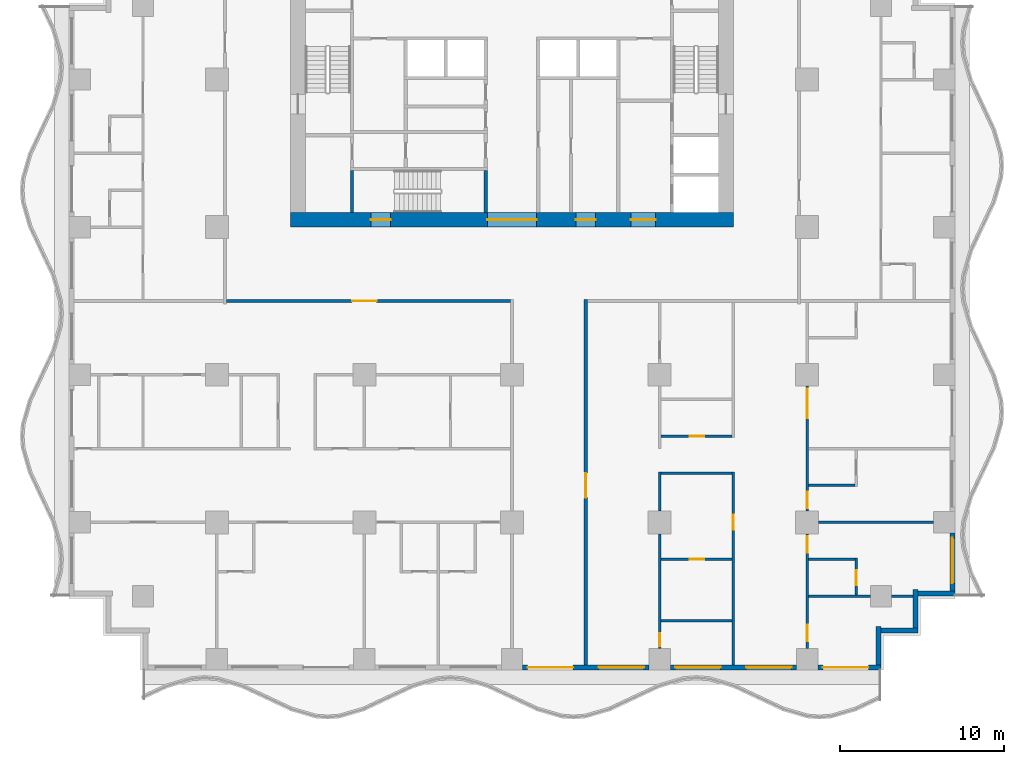
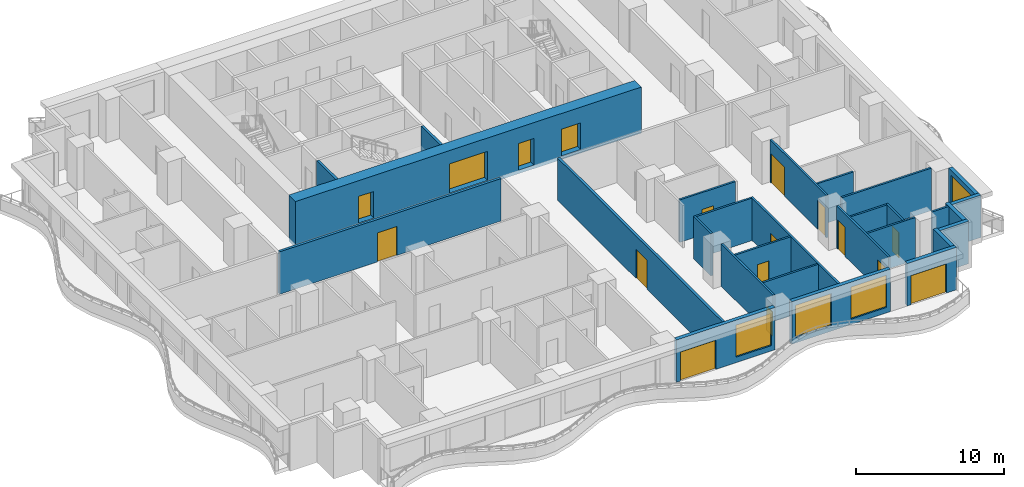
# One storey, part 3 of 13: 28 walls, 17 doors, 4 windows, 21 openings.
"""IFC4 building model written with IfcOpenShell, lengths in metres."""

import ifcopenshell
import ifcopenshell.guid

model = None  # the IFC model being written
_history = None  # IfcOwnerHistory: only IFC2X3 demands one
_inside = {}  # id of a spatial element -> (the spatial element, [elements in it])
_under = {}  # id of a project, library or spatial element -> (it, [spatial elements below it])
_declared = {}  # id of a project -> (the project, [libraries it declares])
_typed = {}  # id of a type object -> (the type object, [elements of that type])
_made_of = {}  # id of a material, layer set ... -> (it, [elements and type objects made of it])


def new_model(schema):
    """Start an empty IFC model of exactly this schema.

    Asked for "IFC4X3", IfcOpenShell would pick the latest addendum, in which some entities
    have other attributes; the version numbers below select the first issue.
    IFC2X3 requires an IfcOwnerHistory on every rooted entity: one is made here for all.
    """
    global model, _history
    if schema == "IFC4X3":
        model = ifcopenshell.file(schema_version=(4, 3, 0, 0))
    else:
        model = ifcopenshell.file(schema=schema)
    _inside.clear()
    _under.clear()
    _declared.clear()
    _typed.clear()
    _made_of.clear()
    _history = None
    if model.schema == "IFC2X3":
        org = make("IfcOrganization", Name="unknown")
        user = make(
            "IfcPersonAndOrganization",
            ThePerson=make("IfcPerson", FamilyName="unknown"),
            TheOrganization=org,
        )
        app = make(
            "IfcApplication",
            ApplicationDeveloper=org,
            Version="unknown",
            ApplicationFullName="unknown",
            ApplicationIdentifier="unknown",
        )
        _history = make(
            "IfcOwnerHistory",
            OwningUser=user,
            OwningApplication=app,
            ChangeAction="ADDED",
            CreationDate=0,
        )
    return model


def make(cls, **values):
    """One entity of the class cls with the attributes given. An attribute that is None is left unset."""
    return model.create_entity(
        cls, **{name: value for name, value in values.items() if value is not None}
    )


def rooted(cls, **values):
    """An entity with a GlobalId (a new one), such as an element, a storey or a relation."""
    return make(cls, GlobalId=ifcopenshell.guid.new(), OwnerHistory=_history, **values)


def si_unit(unit_type, name, prefix=None):
    """IfcSIUnit, for example si_unit("LENGTHUNIT", "METRE", prefix="MILLI")."""
    return make("IfcSIUnit", UnitType=unit_type, Prefix=prefix, Name=name)


def assignment(units):
    """IfcUnitAssignment: the units of a project."""
    return None if units is None else make("IfcUnitAssignment", Units=units)


def point(xyz):
    """IfcCartesianPoint."""
    return None if xyz is None else make("IfcCartesianPoint", Coordinates=xyz)


def direction(xyz):
    """IfcDirection."""
    return None if xyz is None else make("IfcDirection", DirectionRatios=xyz)


def frame(location, z_axis=None, x_axis=None):
    """IfcAxis2Placement3D, a coordinate frame: its origin and axes. An axis left out is left unset."""
    return make(
        "IfcAxis2Placement3D",
        Location=point(location),
        Axis=direction(z_axis),
        RefDirection=direction(x_axis),
    )


def frame_2d(location, x_axis=None):
    """IfcAxis2Placement2D, a coordinate frame in the plane: its origin and x axis."""
    return make(
        "IfcAxis2Placement2D", Location=point(location), RefDirection=direction(x_axis)
    )


def origin():
    """The frame at (0, 0, 0) with its axes left unset."""
    return frame((0.0, 0.0, 0.0))


def place(relative_to, where):
    """IfcLocalPlacement: puts the frame where relative to a parent placement (None: the world)."""
    return make(
        "IfcLocalPlacement", PlacementRelTo=relative_to, RelativePlacement=where
    )


def context(
    kind, dimensions, precision=None, world=None, true_north=None, identifier=None
):
    """IfcGeometricRepresentationContext, for example the 3D "Model" context."""
    return make(
        "IfcGeometricRepresentationContext",
        ContextIdentifier=identifier,
        ContextType=kind,
        CoordinateSpaceDimension=dimensions,
        Precision=precision,
        WorldCoordinateSystem=world,
        TrueNorth=true_north,
    )


def subcontext(parent, identifier, kind, view, scale=None):
    """IfcGeometricRepresentationSubContext, for example "Body" below "Model"."""
    return make(
        "IfcGeometricRepresentationSubContext",
        ContextIdentifier=identifier,
        ContextType=kind,
        ParentContext=parent,
        TargetScale=scale,
        TargetView=view,
    )


def project(units=None, contexts=None):
    """IfcProject with its units and contexts."""
    return rooted(
        "IfcProject",
        Name="project",
        RepresentationContexts=contexts,
        UnitsInContext=assignment(units),
    )


def spatial(cls, under=None, at=None, **own):
    """A site, building, storey or space (cls), placed at a placement, below another one or the project."""
    s = rooted(cls, ObjectPlacement=at, **own)
    if under is not None:
        _under.setdefault(under.id(), (under, []))[1].append(s)
    return s


def profile(cls, at=None, kind="AREA", **sizes):
    """A parametric profile (cls). Its sizes go by their IFC names, for example OverallWidth=200.0."""
    return make(cls, ProfileType=kind, Position=at, **sizes)


def rectangle(**sizes):
    """IfcRectangleProfileDef."""
    return profile("IfcRectangleProfileDef", **sizes)


def extrude(swept, where, along, depth):
    """IfcExtrudedAreaSolid: the profile swept, set in the frame where, extruded along a direction by depth."""
    return make(
        "IfcExtrudedAreaSolid",
        SweptArea=swept,
        Position=where,
        ExtrudedDirection=direction(along),
        Depth=depth,
    )


def shape(context_of_items, identifier, shape_type, items):
    """IfcShapeRepresentation: the items that make up one representation, for example the "Body"."""
    return make(
        "IfcShapeRepresentation",
        ContextOfItems=context_of_items,
        RepresentationIdentifier=identifier,
        RepresentationType=shape_type,
        Items=items,
    )


def material(Name=None, Category=None):
    """IfcMaterial."""
    return make("IfcMaterial", Name=Name, Category=Category)


def layer(
    of_material, thickness, ventilated=None, Name=None, Category=None, Priority=None
):
    """IfcMaterialLayer: one layer of a wall or slab, of a material (None: an air gap)."""
    return make(
        "IfcMaterialLayer",
        Material=of_material,
        LayerThickness=thickness,
        IsVentilated=ventilated,
        Name=Name,
        Category=Category,
        Priority=Priority,
    )


def layer_set(layers, Name=None):
    """IfcMaterialLayerSet."""
    return make("IfcMaterialLayerSet", MaterialLayers=layers, LayerSetName=Name)


def made_of(thing, what):
    """Note that an element or type object is made of a material, layer set ...; save() writes the relation."""
    if what is not None:
        _made_of.setdefault(what.id(), (what, []))[1].append(thing)
    return thing


def type_object(cls, material=None, **own):
    """A type object (cls), such as IfcWallType, which elements share."""
    return made_of(rooted(cls, **own), material)


def element(
    cls,
    number,
    at=None,
    inside=None,
    cuts=None,
    type_object=None,
    material=None,
    context=None,
    identifier="Body",
    shape_type=None,
    held_by="IfcProductDefinitionShape",
    body=None,
    shapes=None,
    **own,
):
    """One element of the class cls, such as IfcWall. Its Tag is "e" and its number.

    at: its placement. inside: the storey or other place that contains it. cuts: it is an
    opening in that element (IfcRelVoidsElement). A single representation is given by context,
    identifier, shape_type and body (its items); several are given by shapes. held_by: the class
    of the entity that holds the representations. save() writes the other relations.
    """
    e = rooted(cls, Tag="e%d" % number, ObjectPlacement=at, **own)
    if body is not None:
        shapes = [shape(context, identifier, shape_type, body)]
    if shapes is not None:
        e.Representation = make(held_by, Representations=shapes)
    if inside is not None:
        _inside.setdefault(inside.id(), (inside, []))[1].append(e)
    if cuts is not None:
        rooted(
            "IfcRelVoidsElement", RelatingBuildingElement=cuts, RelatedOpeningElement=e
        )
    if type_object is not None:
        _typed.setdefault(type_object.id(), (type_object, []))[1].append(e)
    return made_of(e, material)


def fill(opening, filler):
    """IfcRelFillsElement: the door or window that sits in an opening."""
    return rooted(
        "IfcRelFillsElement",
        RelatingOpeningElement=opening,
        RelatedBuildingElement=filler,
    )


def aggregate(whole, parts):
    """IfcRelAggregates: a whole, such as a stair, and the parts it consists of."""
    return rooted("IfcRelAggregates", RelatingObject=whole, RelatedObjects=parts)


def save(model, path):
    """Write the relations noted so far, then the file.

    IfcRelAggregates (storeys below a building ...), IfcRelContainedInSpatialStructure (elements
    in a storey), IfcRelDefinesByType, IfcRelAssociatesMaterial and IfcRelDeclares: one each for
    every whole, place, type object, material and project.
    """
    for whole, parts in _under.values():
        aggregate(whole, parts)
    for where, things in _inside.values():
        rooted(
            "IfcRelContainedInSpatialStructure",
            RelatedElements=things,
            RelatingStructure=where,
        )
    for kind, things in _typed.values():
        rooted("IfcRelDefinesByType", RelatedObjects=things, RelatingType=kind)
    for what, things in _made_of.values():
        rooted("IfcRelAssociatesMaterial", RelatedObjects=things, RelatingMaterial=what)
    for by, libraries in _declared.values():
        rooted("IfcRelDeclares", RelatingContext=by, RelatedDefinitions=libraries)
    model.write(path)


model = new_model("IFC4")

# Units and contexts
model_context = context("Model", 3, precision=1e-05, world=origin(), true_north=direction((0.0, 1.0)))
body_context = subcontext(model_context, "Body", "Model", "MODEL_VIEW")
ifc_project = project(units=[si_unit("LENGTHUNIT", "METRE"), si_unit("AREAUNIT", "SQUARE_METRE"), si_unit("VOLUMEUNIT", "CUBIC_METRE"), si_unit("PLANEANGLEUNIT", "RADIAN"), si_unit("MASSUNIT", "GRAM", prefix="KILO")], contexts=[model_context])

# Site, building, storey
site_placement = place(None, origin())
site = spatial("IfcSite", under=ifc_project, at=site_placement, CompositionType="ELEMENT")
building_placement = place(site_placement, origin())
building = spatial("IfcBuilding", under=site, at=building_placement, Name="Orbiselva Terraces", CompositionType="ELEMENT")
storey_placement = place(building_placement, frame((0.0, 0.0, 92.2)))
storey = spatial("IfcBuildingStorey", under=building, at=storey_placement, Name="L23", CompositionType="ELEMENT", Elevation=92.2)

# Wall, openings, doors
ifc_material_1 = material(Name="Concrete C80/95", Category="concrete")
ifc_layer_1 = layer(ifc_material_1, 0.9)
ifc_layer_set_1 = layer_set([ifc_layer_1], Name="Concrete C80/95")
wall_type_1 = type_object("IfcWallType", Name="CORE WALL 900", PredefinedType="SHEAR", material=ifc_layer_set_1)
wall_1_placement = place(storey_placement, frame((-13.5, 4.95, -0.3), z_axis=(0.0, 0.0, 1.0), x_axis=(1.0, 0.0, 0.0)))
wall_1 = element("IfcWall", 1, at=wall_1_placement, inside=storey, type_object=wall_type_1, Name="Core wall L23 south", PredefinedType="SHEAR", context=body_context, shape_type="SweptSolid", body=[
    extrude(rectangle(XDim=27.0, YDim=0.9, at=frame_2d((13.5, 0.0))), origin(), (0.0, 0.0, 1.0), 3.8),
])
opening_1_placement = place(wall_1_placement, frame((12.0, 0.0, 0.3)))
opening_1 = element("IfcOpeningElement", 2, at=opening_1_placement, cuts=wall_1, Name="Opening DL3000", PredefinedType="OPENING", context=body_context, shape_type="SweptSolid", body=[
    extrude(rectangle(XDim=3.0, YDim=2.4, at=frame_2d((1.5, 1.2))), frame((0.0, 0.46, 0.0), z_axis=(0.0, -1.0, 0.0), x_axis=(1.0, 0.0, 0.0)), (0.0, 0.0, 1.0), 0.92),
])
opening_2_placement = place(wall_1_placement, frame((4.9, 0.0, 0.3)))
opening_2 = element("IfcOpeningElement", 3, at=opening_2_placement, cuts=wall_1, Name="Opening DS1200", PredefinedType="OPENING", context=body_context, shape_type="SweptSolid", body=[
    extrude(rectangle(XDim=1.2, YDim=2.2, at=frame_2d((0.6, 1.1))), frame((0.0, 0.46, 0.0), z_axis=(0.0, -1.0, 0.0), x_axis=(1.0, 0.0, 0.0)), (0.0, 0.0, 1.0), 0.92),
])
opening_3_placement = place(wall_1_placement, frame((20.75, 0.0, 0.3)))
opening_3 = element("IfcOpeningElement", 4, at=opening_3_placement, cuts=wall_1, Name="Opening DF1500", PredefinedType="OPENING", context=body_context, shape_type="SweptSolid", body=[
    extrude(rectangle(XDim=1.5, YDim=2.2, at=frame_2d((0.75, 1.1))), frame((0.0, 0.46, 0.0), z_axis=(0.0, -1.0, 0.0), x_axis=(1.0, 0.0, 0.0)), (0.0, 0.0, 1.0), 0.92),
])
opening_4_placement = place(wall_1_placement, frame((17.4, 0.0, 0.3)))
opening_4 = element("IfcOpeningElement", 5, at=opening_4_placement, cuts=wall_1, Name="Opening DV1200", PredefinedType="OPENING", context=body_context, shape_type="SweptSolid", body=[
    extrude(rectangle(XDim=1.2, YDim=2.2, at=frame_2d((0.6, 1.1))), frame((0.0, 0.46, 0.0), z_axis=(0.0, -1.0, 0.0), x_axis=(1.0, 0.0, 0.0)), (0.0, 0.0, 1.0), 0.92),
])
ifc_material_2 = material(Name="Steel fire door", Category="steel")
door_type_1 = type_object("IfcDoorType", Name="FFL DOOR 1500", OperationType="DOUBLE_DOOR_SINGLE_SWING", PredefinedType="DOOR", material=ifc_material_2)
door_1_placement = place(opening_3_placement, frame((1.5, 0.0, 0.0), z_axis=(0.0, 0.0, 1.0), x_axis=(-1.0, 0.0, 0.0)))
door_1 = element("IfcDoor", 6, at=door_1_placement, inside=storey, type_object=door_type_1, Name="L23 FIRE-FIGHTING LOBBY door", OperationType="DOUBLE_DOOR_SINGLE_SWING", OverallHeight=2.2, OverallWidth=1.5, PredefinedType="DOOR", context=body_context, shape_type="SweptSolid", body=[
    extrude(rectangle(XDim=1.5, YDim=2.2, at=frame_2d((0.75, 1.1))), frame((0.0, 0.025, 0.0), z_axis=(0.0, -1.0, 0.0), x_axis=(1.0, 0.0, 0.0)), (0.0, 0.0, 1.0), 0.05),
])
fill(opening_3, door_1)
door_type_2 = type_object("IfcDoorType", Name="LOBBY DOOR 3000", OperationType="DOUBLE_DOOR_SINGLE_SWING", PredefinedType="DOOR", material=ifc_material_2)
door_2_placement = place(opening_1_placement, frame((3.0, 0.0, 0.0), z_axis=(0.0, 0.0, 1.0), x_axis=(-1.0, 0.0, 0.0)))
door_2 = element("IfcDoor", 7, at=door_2_placement, inside=storey, type_object=door_type_2, Name="L23 LIFT LOBBY door", OperationType="DOUBLE_DOOR_SINGLE_SWING", OverallHeight=2.4, OverallWidth=3.0, PredefinedType="DOOR", context=body_context, shape_type="SweptSolid", body=[
    extrude(rectangle(XDim=3.0, YDim=2.4, at=frame_2d((1.5, 1.2))), frame((0.0, 0.025, 0.0), z_axis=(0.0, -1.0, 0.0), x_axis=(1.0, 0.0, 0.0)), (0.0, 0.0, 1.0), 0.05),
])
fill(opening_1, door_2)
door_type_3 = type_object("IfcDoorType", Name="SERVICE DOOR 1200", OperationType="NOTDEFINED", PredefinedType="DOOR", material=ifc_material_2)
door_3_placement = place(opening_4_placement, frame((1.2, 0.0, 0.0), z_axis=(0.0, 0.0, 1.0), x_axis=(-1.0, 0.0, 0.0)))
door_3 = element("IfcDoor", 8, at=door_3_placement, inside=storey, type_object=door_type_3, Name="L23 SERVICE ROOM door", OperationType="SINGLE_SWING_RIGHT", OverallHeight=2.2, OverallWidth=1.2, PredefinedType="DOOR", context=body_context, shape_type="SweptSolid", body=[
    extrude(rectangle(XDim=1.2, YDim=2.2, at=frame_2d((0.6, 1.1))), frame((0.0, 0.025, 0.0), z_axis=(0.0, -1.0, 0.0), x_axis=(1.0, 0.0, 0.0)), (0.0, 0.0, 1.0), 0.05),
])
fill(opening_4, door_3)
door_type_4 = type_object("IfcDoorType", Name="STAIR DOOR 1200", OperationType="NOTDEFINED", PredefinedType="DOOR", material=ifc_material_2)
door_4_placement = place(opening_2_placement, frame((1.2, 0.0, 0.0), z_axis=(0.0, 0.0, 1.0), x_axis=(-1.0, 0.0, 0.0)))
door_4 = element("IfcDoor", 9, at=door_4_placement, inside=storey, type_object=door_type_4, Name="L23 EXIT STAIR S3 door", OperationType="SINGLE_SWING_LEFT", OverallHeight=2.2, OverallWidth=1.2, PredefinedType="DOOR", context=body_context, shape_type="SweptSolid", body=[
    extrude(rectangle(XDim=1.2, YDim=2.2, at=frame_2d((0.6, 1.1))), frame((0.0, 0.025, 0.0), z_axis=(0.0, -1.0, 0.0), x_axis=(1.0, 0.0, 0.0)), (0.0, 0.0, 1.0), 0.05),
])
fill(opening_2, door_4)

# Walls
ifc_material_3 = material(Name="Concrete C60/75", Category="concrete")
ifc_layer_2 = layer(ifc_material_3, 0.2)
ifc_layer_set_2 = layer_set([ifc_layer_2], Name="Concrete C60/75")
wall_type_2 = type_object("IfcWallType", Name="CORE-WALL-SHEAR-200", PredefinedType="SHEAR", material=ifc_layer_set_2)
for number, where, z_axis, x_axis, name in (
    (10, (-9.75, 5.4, 0.0), (0.0, 0.0, 1.0), (0.0, 1.0, 0.0), "L23 core wall 03"),
    (11, (-1.6, 5.4, 0.0), (0.0, 0.0, 1.0), (0.0, 1.0, 0.0), "L23 core wall 23"),
):
    element("IfcWall", number, at=place(storey_placement, frame(where, z_axis=z_axis, x_axis=x_axis)), inside=storey, type_object=wall_type_2, Name=name, PredefinedType="SHEAR", context=body_context, shape_type="SweptSolid", body=[
        extrude(rectangle(XDim=2.55, YDim=0.2, at=frame_2d((1.275, 0.0))), origin(), (0.0, 0.0, 1.0), 3.5),
    ])

# Wall, openings, door, window
ifc_material_4 = material(Name="Terracotta cladding on masonry backing", Category="masonry")
ifc_layer_3 = layer(ifc_material_4, 0.3)
ifc_layer_set_3 = layer_set([ifc_layer_3], Name="Terracotta cladding on masonry backing")
wall_type_3 = type_object("IfcWallType", Name="ENV-WALL-TERRACOTTA-300", PredefinedType="SOLIDWALL", material=ifc_layer_set_3)
wall_2_placement = place(storey_placement, frame((8.35, -22.35, 0.0), z_axis=(0.0, 0.0, 1.0), x_axis=(-1.0, 0.0, 0.0)))
wall_2 = element("IfcWall", 12, at=wall_2_placement, inside=storey, type_object=wall_type_3, Name="Facade wall L23 S", PredefinedType="SOLIDWALL", context=body_context, shape_type="SweptSolid", body=[
    extrude(rectangle(XDim=7.7, YDim=0.3, at=frame_2d((3.85, 0.0))), origin(), (0.0, 0.0, 1.0), 3.5),
])
opening_5_placement = place(wall_2_placement, frame((4.625, 0.0, 0.0)))
opening_5 = element("IfcOpeningElement", 13, at=opening_5_placement, cuts=wall_2, Name="Opening Z2-C-E02", PredefinedType="OPENING", context=body_context, shape_type="SweptSolid", body=[
    extrude(rectangle(XDim=2.775, YDim=2.4, at=frame_2d((1.3875, 1.2))), frame((0.0, 0.16, 0.0), z_axis=(0.0, -1.0, 0.0), x_axis=(1.0, 0.0, 0.0)), (0.0, 0.0, 1.0), 0.32),
])
opening_6_placement = place(wall_2_placement, frame((0.3, 0.0, 0.45)))
opening_6 = element("IfcOpeningElement", 14, at=opening_6_placement, cuts=wall_2, Name="Opening WN6", PredefinedType="OPENING", context=body_context, shape_type="SweptSolid", body=[
    extrude(rectangle(XDim=2.775, YDim=2.65, at=frame_2d((1.3875, 1.325))), frame((0.0, 0.16, 0.0), z_axis=(0.0, -1.0, 0.0), x_axis=(1.0, 0.0, 0.0)), (0.0, 0.0, 1.0), 0.32),
])
ifc_material_5 = material(Name="Clear low-e glazing in aluminium frame", Category="aluminium")
door_type_5 = type_object("IfcDoorType", Name="BALCONY DOOR 2775 X 2400", OperationType="DOUBLE_DOOR_SLIDING", PredefinedType="DOOR", material=ifc_material_5)
door_5_placement = place(opening_5_placement, origin())
door_5 = element("IfcDoor", 15, at=door_5_placement, inside=storey, type_object=door_type_5, Name="Z2-C-E02", OperationType="SINGLE_SWING_LEFT", OverallHeight=2.4, OverallWidth=2.775, PredefinedType="DOOR", context=body_context, shape_type="SweptSolid", body=[
    extrude(rectangle(XDim=2.775, YDim=2.4, at=frame_2d((1.3875, 1.2))), frame((0.0, 0.025, 0.0), z_axis=(0.0, -1.0, 0.0), x_axis=(1.0, 0.0, 0.0)), (0.0, 0.0, 1.0), 0.05),
])
fill(opening_5, door_5)
window_type = type_object("IfcWindowType", Name="WINDOW 2775 X 2650 S450", PartitioningType="TRIPLE_PANEL_VERTICAL", PredefinedType="WINDOW", material=ifc_material_5)
window_1_placement = place(opening_6_placement, origin())
window_1 = element("IfcWindow", 16, at=window_1_placement, inside=storey, type_object=window_type, Name="Window L23 S", OverallHeight=2.65, OverallWidth=2.775, PartitioningType="SINGLE_PANEL", PredefinedType="WINDOW", context=body_context, shape_type="SweptSolid", body=[
    extrude(rectangle(XDim=2.775, YDim=2.65, at=frame_2d((1.3875, 1.325))), frame((0.0, 0.03, 0.0), z_axis=(0.0, -1.0, 0.0), x_axis=(1.0, 0.0, 0.0)), (0.0, 0.0, 1.0), 0.06),
])
fill(opening_6, window_1)

# Wall, openings, windows
wall_3_placement = place(storey_placement, frame((17.35, -22.35, 0.0), z_axis=(0.0, 0.0, 1.0), x_axis=(-1.0, 0.0, 0.0)))
wall_3 = element("IfcWall", 17, at=wall_3_placement, inside=storey, type_object=wall_type_3, Name="Facade wall L23 S", PredefinedType="SOLIDWALL", context=body_context, shape_type="SweptSolid", body=[
    extrude(rectangle(XDim=7.7, YDim=0.3, at=frame_2d((3.85, 0.0))), origin(), (0.0, 0.0, 1.0), 3.5),
])
opening_7_placement = place(wall_3_placement, frame((4.625, 0.0, 0.45)))
opening_7 = element("IfcOpeningElement", 18, at=opening_7_placement, cuts=wall_3, Name="Opening WN6", PredefinedType="OPENING", context=body_context, shape_type="SweptSolid", body=[
    extrude(rectangle(XDim=2.775, YDim=2.65, at=frame_2d((1.3875, 1.325))), frame((0.0, 0.16, 0.0), z_axis=(0.0, -1.0, 0.0), x_axis=(1.0, 0.0, 0.0)), (0.0, 0.0, 1.0), 0.32),
])
opening_8_placement = place(wall_3_placement, frame((0.3, 0.0, 0.45)))
opening_8 = element("IfcOpeningElement", 19, at=opening_8_placement, cuts=wall_3, Name="Opening WN6", PredefinedType="OPENING", context=body_context, shape_type="SweptSolid", body=[
    extrude(rectangle(XDim=2.775, YDim=2.65, at=frame_2d((1.3875, 1.325))), frame((0.0, 0.16, 0.0), z_axis=(0.0, -1.0, 0.0), x_axis=(1.0, 0.0, 0.0)), (0.0, 0.0, 1.0), 0.32),
])
window_2_placement = place(opening_7_placement, origin())
window_2 = element("IfcWindow", 20, at=window_2_placement, inside=storey, type_object=window_type, Name="Window L23 S", OverallHeight=2.65, OverallWidth=2.775, PartitioningType="SINGLE_PANEL", PredefinedType="WINDOW", context=body_context, shape_type="SweptSolid", body=[
    extrude(rectangle(XDim=2.775, YDim=2.65, at=frame_2d((1.3875, 1.325))), frame((0.0, 0.03, 0.0), z_axis=(0.0, -1.0, 0.0), x_axis=(1.0, 0.0, 0.0)), (0.0, 0.0, 1.0), 0.06),
])
fill(opening_7, window_2)
window_3_placement = place(opening_8_placement, origin())
window_3 = element("IfcWindow", 21, at=window_3_placement, inside=storey, type_object=window_type, Name="Window L23 S", OverallHeight=2.65, OverallWidth=2.775, PartitioningType="SINGLE_PANEL", PredefinedType="WINDOW", context=body_context, shape_type="SweptSolid", body=[
    extrude(rectangle(XDim=2.775, YDim=2.65, at=frame_2d((1.3875, 1.325))), frame((0.0, 0.03, 0.0), z_axis=(0.0, -1.0, 0.0), x_axis=(1.0, 0.0, 0.0)), (0.0, 0.0, 1.0), 0.06),
])
fill(opening_8, window_3)

# Wall, opening, door
wall_4_placement = place(storey_placement, frame((22.5, -22.35, 0.0), z_axis=(0.0, 0.0, 1.0), x_axis=(-1.0, 0.0, 0.0)))
wall_4 = element("IfcWall", 22, at=wall_4_placement, inside=storey, type_object=wall_type_3, Name="Facade wall L23 S", PredefinedType="SOLIDWALL", context=body_context, shape_type="SweptSolid", body=[
    extrude(rectangle(XDim=3.85, YDim=0.3, at=frame_2d((1.925, 0.0))), origin(), (0.0, 0.0, 1.0), 3.5),
])
opening_9_placement = place(wall_4_placement, frame((0.775, 0.0, 0.0)))
opening_9 = element("IfcOpeningElement", 23, at=opening_9_placement, cuts=wall_4, Name="Opening Z2-C-E03", PredefinedType="OPENING", context=body_context, shape_type="SweptSolid", body=[
    extrude(rectangle(XDim=2.775, YDim=2.4, at=frame_2d((1.3875, 1.2))), frame((0.0, 0.16, 0.0), z_axis=(0.0, -1.0, 0.0), x_axis=(1.0, 0.0, 0.0)), (0.0, 0.0, 1.0), 0.32),
])
door_6_placement = place(opening_9_placement, origin())
door_6 = element("IfcDoor", 24, at=door_6_placement, inside=storey, type_object=door_type_5, Name="Z2-C-E03", OperationType="SINGLE_SWING_LEFT", OverallHeight=2.4, OverallWidth=2.775, PredefinedType="DOOR", context=body_context, shape_type="SweptSolid", body=[
    extrude(rectangle(XDim=2.775, YDim=2.4, at=frame_2d((1.3875, 1.2))), frame((0.0, 0.025, 0.0), z_axis=(0.0, -1.0, 0.0), x_axis=(1.0, 0.0, 0.0)), (0.0, 0.0, 1.0), 0.05),
])
fill(opening_9, door_6)

# Walls
wall_5_placement = place(storey_placement, frame((22.35, -19.85, 0.0), z_axis=(0.0, 0.0, 1.0), x_axis=(0.0, -1.0, 0.0)))
element("IfcWall", 25, at=wall_5_placement, inside=storey, type_object=wall_type_3, Name="Facade wall L23 STEP", PredefinedType="SOLIDWALL", context=body_context, shape_type="SweptSolid", body=[
    extrude(rectangle(XDim=2.35, YDim=0.3, at=frame_2d((1.175, 0.0))), origin(), (0.0, 0.0, 1.0), 3.5),
])
wall_6_placement = place(storey_placement, frame((24.75, -20.1, 0.0), z_axis=(0.0, 0.0, 1.0), x_axis=(-1.0, 0.0, 0.0)))
element("IfcWall", 26, at=wall_6_placement, inside=storey, type_object=wall_type_3, Name="Facade wall L23 STEP", PredefinedType="SOLIDWALL", context=body_context, shape_type="SweptSolid", body=[
    extrude(rectangle(XDim=2.25, YDim=0.3, at=frame_2d((1.125, 0.0))), origin(), (0.0, 0.0, 1.0), 3.5),
])
wall_7_placement = place(storey_placement, frame((24.6, -17.6, 0.0), z_axis=(0.0, 0.0, 1.0), x_axis=(0.0, -1.0, 0.0)))
element("IfcWall", 27, at=wall_7_placement, inside=storey, type_object=wall_type_3, Name="Facade wall L23 STEP", PredefinedType="SOLIDWALL", context=body_context, shape_type="SweptSolid", body=[
    extrude(rectangle(XDim=2.35, YDim=0.3, at=frame_2d((1.175, 0.0))), origin(), (0.0, 0.0, 1.0), 3.5),
])
wall_8_placement = place(storey_placement, frame((27.0, -17.85, 0.0), z_axis=(0.0, 0.0, 1.0), x_axis=(-1.0, 0.0, 0.0)))
element("IfcWall", 28, at=wall_8_placement, inside=storey, type_object=wall_type_3, Name="Facade wall L23 STEP", PredefinedType="SOLIDWALL", context=body_context, shape_type="SweptSolid", body=[
    extrude(rectangle(XDim=2.25, YDim=0.3, at=frame_2d((1.125, 0.0))), origin(), (0.0, 0.0, 1.0), 3.5),
])

# Wall, opening, window
wall_9_placement = place(storey_placement, frame((26.85, -14.15, 0.0), z_axis=(0.0, 0.0, 1.0), x_axis=(0.0, -1.0, 0.0)))
wall_9 = element("IfcWall", 29, at=wall_9_placement, inside=storey, type_object=wall_type_3, Name="Facade wall L23 E", PredefinedType="SOLIDWALL", context=body_context, shape_type="SweptSolid", body=[
    extrude(rectangle(XDim=3.55, YDim=0.3, at=frame_2d((1.775, 0.0))), origin(), (0.0, 0.0, 1.0), 3.5),
])
opening_10_placement = place(wall_9_placement, frame((0.3, 0.0, 0.45)))
opening_10 = element("IfcOpeningElement", 30, at=opening_10_placement, cuts=wall_9, Name="Opening WN6", PredefinedType="OPENING", context=body_context, shape_type="SweptSolid", body=[
    extrude(rectangle(XDim=2.775, YDim=2.65, at=frame_2d((1.3875, 1.325))), frame((0.0, 0.16, 0.0), z_axis=(0.0, -1.0, 0.0), x_axis=(1.0, 0.0, 0.0)), (0.0, 0.0, 1.0), 0.32),
])
window_4_placement = place(opening_10_placement, origin())
window_4 = element("IfcWindow", 31, at=window_4_placement, inside=storey, type_object=window_type, Name="Window L23 E", OverallHeight=2.65, OverallWidth=2.775, PartitioningType="SINGLE_PANEL", PredefinedType="WINDOW", context=body_context, shape_type="SweptSolid", body=[
    extrude(rectangle(XDim=2.775, YDim=2.65, at=frame_2d((1.3875, 1.325))), frame((0.0, 0.03, 0.0), z_axis=(0.0, -1.0, 0.0), x_axis=(1.0, 0.0, 0.0)), (0.0, 0.0, 1.0), 0.06),
])
fill(opening_10, window_4)

# Wall, opening, door
ifc_material_6 = material(Name="Plasterboard on steel stud partition", Category="steel")
ifc_layer_4 = layer(ifc_material_6, 0.2)
ifc_layer_set_4 = layer_set([ifc_layer_4], Name="Plasterboard on steel stud partition")
wall_type_4 = type_object("IfcWallType", Name="UNIT-ENTRANCE-WALL-200", PredefinedType="PARTITIONING", material=ifc_layer_set_4)
wall_10_placement = place(storey_placement, frame((-0.1, 0.0, 0.0), z_axis=(0.0, 0.0, 1.0), x_axis=(-1.0, 0.0, 0.0)))
wall_10 = element("IfcWall", 32, at=wall_10_placement, inside=storey, type_object=wall_type_4, Name="PARTITION L23-025", PredefinedType="PARTITIONING", context=body_context, shape_type="SweptSolid", body=[
    extrude(rectangle(XDim=17.3, YDim=0.2, at=frame_2d((8.65, 0.0))), origin(), (0.0, 0.0, 1.0), 3.5),
])
opening_11_placement = place(wall_10_placement, frame((8.15, 0.0, 0.0)))
opening_11 = element("IfcOpeningElement", 33, at=opening_11_placement, cuts=wall_10, Name="Opening Z2-C-13", PredefinedType="OPENING", context=body_context, shape_type="SweptSolid", body=[
    extrude(rectangle(XDim=1.5, YDim=2.4, at=frame_2d((0.75, 1.2))), frame((0.0, 0.11, 0.0), z_axis=(0.0, -1.0, 0.0), x_axis=(1.0, 0.0, 0.0)), (0.0, 0.0, 1.0), 0.22),
])
ifc_material_7 = material(Name="Painted timber door leaf", Category="wood")
door_type_6 = type_object("IfcDoorType", Name="ENTRANCE DOUBLE DOOR 1500", OperationType="NOTDEFINED", PredefinedType="DOOR", material=ifc_material_7)
door_7_placement = place(opening_11_placement, origin())
door_7 = element("IfcDoor", 34, at=door_7_placement, inside=storey, type_object=door_type_6, Name="Z2-C-13", OperationType="DOUBLE_DOOR_SINGLE_SWING", OverallHeight=2.4, OverallWidth=1.5, PredefinedType="DOOR", context=body_context, shape_type="SweptSolid", body=[
    extrude(rectangle(XDim=1.5, YDim=2.4, at=frame_2d((0.75, 1.2))), frame((0.0, 0.025, 0.0), z_axis=(0.0, -1.0, 0.0), x_axis=(1.0, 0.0, 0.0)), (0.0, 0.0, 1.0), 0.05),
])
fill(opening_11, door_7)

wall_11_placement = place(storey_placement, frame((4.5, 0.1, 0.0), z_axis=(0.0, 0.0, 1.0), x_axis=(0.0, -1.0, 0.0)))
wall_11 = element("IfcWall", 35, at=wall_11_placement, inside=storey, type_object=wall_type_4, Name="PARTITION L23-060", PredefinedType="PARTITIONING", context=body_context, shape_type="SweptSolid", body=[
    extrude(rectangle(XDim=22.3, YDim=0.2, at=frame_2d((11.15, 0.0))), origin(), (0.0, 0.0, 1.0), 3.5),
])
opening_12_placement = place(wall_11_placement, frame((10.6, 0.0, 0.0)))
opening_12 = element("IfcOpeningElement", 36, at=opening_12_placement, cuts=wall_11, Name="Opening Z2-C-28", PredefinedType="OPENING", context=body_context, shape_type="SweptSolid", body=[
    extrude(rectangle(XDim=1.5, YDim=2.4, at=frame_2d((0.75, 1.2))), frame((0.0, 0.11, 0.0), z_axis=(0.0, -1.0, 0.0), x_axis=(1.0, 0.0, 0.0)), (0.0, 0.0, 1.0), 0.22),
])
door_8_placement = place(opening_12_placement, origin())
door_8 = element("IfcDoor", 37, at=door_8_placement, inside=storey, type_object=door_type_6, Name="Z2-C-28", OperationType="DOUBLE_DOOR_SINGLE_SWING", OverallHeight=2.4, OverallWidth=1.5, PredefinedType="DOOR", context=body_context, shape_type="SweptSolid", body=[
    extrude(rectangle(XDim=1.5, YDim=2.4, at=frame_2d((0.75, 1.2))), frame((0.0, 0.025, 0.0), z_axis=(0.0, -1.0, 0.0), x_axis=(1.0, 0.0, 0.0)), (0.0, 0.0, 1.0), 0.05),
])
fill(opening_12, door_8)

# Walls
ifc_layer_5 = layer(ifc_material_6, 0.15)
ifc_layer_set_5 = layer_set([ifc_layer_5], Name="Plasterboard on steel stud partition")
wall_type_5 = type_object("IfcWallType", Name="UNIT-PARTITION-150", PredefinedType="PARTITIONING", material=ifc_layer_set_5)
wall_12_placement = place(storey_placement, frame((9.075, -19.5, 0.0), z_axis=(0.0, 0.0, 1.0), x_axis=(1.0, 0.0, 0.0)))
element("IfcWall", 38, at=wall_12_placement, inside=storey, type_object=wall_type_5, Name="PARTITION L23-001", PredefinedType="PARTITIONING", context=body_context, shape_type="SweptSolid", body=[
    extrude(rectangle(XDim=4.35, YDim=0.15, at=frame_2d((2.175, 0.0))), origin(), (0.0, 0.0, 1.0), 3.5),
])
wall_13_placement = place(storey_placement, frame((18.075, -18.0, 0.0), z_axis=(0.0, 0.0, 1.0), x_axis=(1.0, 0.0, 0.0)))
element("IfcWall", 39, at=wall_13_placement, inside=storey, type_object=wall_type_5, Name="PARTITION L23-002", PredefinedType="PARTITIONING", context=body_context, shape_type="SweptSolid", body=[
    extrude(rectangle(XDim=3.775, YDim=0.15, at=frame_2d((1.8875, 0.0))), origin(), (0.0, 0.0, 1.0), 3.5),
])
wall_14_placement = place(storey_placement, frame((23.15, -18.0, 0.0), z_axis=(0.0, 0.0, 1.0), x_axis=(1.0, 0.0, 0.0)))
element("IfcWall", 40, at=wall_14_placement, inside=storey, type_object=wall_type_5, Name="PARTITION L23-003", PredefinedType="PARTITIONING", context=body_context, shape_type="SweptSolid", body=[
    extrude(rectangle(XDim=1.3, YDim=0.15, at=frame_2d((0.65, 0.0))), origin(), (0.0, 0.0, 1.0), 3.5),
])

# Wall, opening, door
wall_15_placement = place(storey_placement, frame((13.425, -15.75, 0.0), z_axis=(0.0, 0.0, 1.0), x_axis=(-1.0, 0.0, 0.0)))
wall_15 = element("IfcWall", 41, at=wall_15_placement, inside=storey, type_object=wall_type_5, Name="PARTITION L23-007", PredefinedType="PARTITIONING", context=body_context, shape_type="SweptSolid", body=[
    extrude(rectangle(XDim=4.35, YDim=0.15, at=frame_2d((2.175, 0.0))), origin(), (0.0, 0.0, 1.0), 3.5),
])
opening_13_placement = place(wall_15_placement, frame((1.7, 0.0, 0.0)))
opening_13 = element("IfcOpeningElement", 42, at=opening_13_placement, cuts=wall_15, Name="Opening Z2-C-32", PredefinedType="OPENING", context=body_context, shape_type="SweptSolid", body=[
    extrude(rectangle(XDim=0.9, YDim=2.1, at=frame_2d((0.45, 1.05))), frame((0.0, 0.085, 0.0), z_axis=(0.0, -1.0, 0.0), x_axis=(1.0, 0.0, 0.0)), (0.0, 0.0, 1.0), 0.17),
])
door_type_7 = type_object("IfcDoorType", Name="BATH DOOR 900", OperationType="NOTDEFINED", PredefinedType="DOOR", material=ifc_material_7)
door_9_placement = place(opening_13_placement, origin())
door_9 = element("IfcDoor", 43, at=door_9_placement, inside=storey, type_object=door_type_7, Name="Z2-C-32", OperationType="SINGLE_SWING_LEFT", OverallHeight=2.1, OverallWidth=0.9, PredefinedType="DOOR", context=body_context, shape_type="SweptSolid", body=[
    extrude(rectangle(XDim=0.9, YDim=2.1, at=frame_2d((0.45, 1.05))), frame((0.0, 0.025, 0.0), z_axis=(0.0, -1.0, 0.0), x_axis=(1.0, 0.0, 0.0)), (0.0, 0.0, 1.0), 0.05),
])
fill(opening_13, door_9)

# Walls
wall_16_placement = place(storey_placement, frame((18.075, -15.75, 0.0), z_axis=(0.0, 0.0, 1.0), x_axis=(1.0, 0.0, 0.0)))
element("IfcWall", 44, at=wall_16_placement, inside=storey, type_object=wall_type_5, Name="PARTITION L23-008", PredefinedType="PARTITIONING", context=body_context, shape_type="SweptSolid", body=[
    extrude(rectangle(XDim=2.85, YDim=0.15, at=frame_2d((1.425, 0.0))), origin(), (0.0, 0.0, 1.0), 3.5),
])
wall_17_placement = place(storey_placement, frame((18.7, -13.5, 0.0), z_axis=(0.0, 0.0, 1.0), x_axis=(1.0, 0.0, 0.0)))
element("IfcWall", 45, at=wall_17_placement, inside=storey, type_object=wall_type_5, Name="PARTITION L23-012", PredefinedType="PARTITIONING", context=body_context, shape_type="SweptSolid", body=[
    extrude(rectangle(XDim=7.0, YDim=0.15, at=frame_2d((3.5, 0.0))), origin(), (0.0, 0.0, 1.0), 3.5),
])
wall_18_placement = place(storey_placement, frame((18.075, -11.25, 0.0), z_axis=(0.0, 0.0, 1.0), x_axis=(1.0, 0.0, 0.0)))
element("IfcWall", 46, at=wall_18_placement, inside=storey, type_object=wall_type_5, Name="PARTITION L23-013", PredefinedType="PARTITIONING", context=body_context, shape_type="SweptSolid", body=[
    extrude(rectangle(XDim=2.85, YDim=0.15, at=frame_2d((1.425, 0.0))), origin(), (0.0, 0.0, 1.0), 3.5),
])
wall_19_placement = place(storey_placement, frame((9.075, -10.5, 0.0), z_axis=(0.0, 0.0, 1.0), x_axis=(1.0, 0.0, 0.0)))
element("IfcWall", 47, at=wall_19_placement, inside=storey, type_object=wall_type_5, Name="PARTITION L23-014", PredefinedType="PARTITIONING", context=body_context, shape_type="SweptSolid", body=[
    extrude(rectangle(XDim=4.35, YDim=0.15, at=frame_2d((2.175, 0.0))), origin(), (0.0, 0.0, 1.0), 3.5),
])

# Wall, opening, door
wall_20_placement = place(storey_placement, frame((9.075, -8.25, 0.0), z_axis=(0.0, 0.0, 1.0), x_axis=(1.0, 0.0, 0.0)))
wall_20 = element("IfcWall", 48, at=wall_20_placement, inside=storey, type_object=wall_type_5, Name="PARTITION L23-018", PredefinedType="PARTITIONING", context=body_context, shape_type="SweptSolid", body=[
    extrude(rectangle(XDim=4.35, YDim=0.15, at=frame_2d((2.175, 0.0))), origin(), (0.0, 0.0, 1.0), 3.5),
])
opening_14_placement = place(wall_20_placement, frame((1.75, 0.0, 0.0)))
opening_14 = element("IfcOpeningElement", 49, at=opening_14_placement, cuts=wall_20, Name="Opening Z2-C-30", PredefinedType="OPENING", context=body_context, shape_type="SweptSolid", body=[
    extrude(rectangle(XDim=0.9, YDim=2.1, at=frame_2d((0.45, 1.05))), frame((0.0, 0.085, 0.0), z_axis=(0.0, -1.0, 0.0), x_axis=(1.0, 0.0, 0.0)), (0.0, 0.0, 1.0), 0.17),
])
door_10_placement = place(opening_14_placement, origin())
door_10 = element("IfcDoor", 50, at=door_10_placement, inside=storey, type_object=door_type_7, Name="Z2-C-30", OperationType="SINGLE_SWING_RIGHT", OverallHeight=2.1, OverallWidth=0.9, PredefinedType="DOOR", context=body_context, shape_type="SweptSolid", body=[
    extrude(rectangle(XDim=0.9, YDim=2.1, at=frame_2d((0.45, 1.05))), frame((0.0, 0.025, 0.0), z_axis=(0.0, -1.0, 0.0), x_axis=(1.0, 0.0, 0.0)), (0.0, 0.0, 1.0), 0.05),
])
fill(opening_14, door_10)

wall_21_placement = place(storey_placement, frame((9.0, -14.2, 0.0), z_axis=(0.0, 0.0, 1.0), x_axis=(0.0, -1.0, 0.0)))
wall_21 = element("IfcWall", 51, at=wall_21_placement, inside=storey, type_object=wall_type_5, Name="PARTITION L23-061", PredefinedType="PARTITIONING", context=body_context, shape_type="SweptSolid", body=[
    extrude(rectangle(XDim=7.0, YDim=0.15, at=frame_2d((3.5, 0.0))), origin(), (0.0, 0.0, 1.0), 3.5),
])
opening_15_placement = place(wall_21_placement, frame((6.05, 0.0, 0.0)))
opening_15 = element("IfcOpeningElement", 52, at=opening_15_placement, cuts=wall_21, Name="Opening Z2-C-33", PredefinedType="OPENING", context=body_context, shape_type="SweptSolid", body=[
    extrude(rectangle(XDim=0.8, YDim=2.0, at=frame_2d((0.4, 1.0))), frame((0.0, 0.085, 0.0), z_axis=(0.0, -1.0, 0.0), x_axis=(1.0, 0.0, 0.0)), (0.0, 0.0, 1.0), 0.17),
])
door_type_8 = type_object("IfcDoorType", Name="STORE DOOR 800", OperationType="NOTDEFINED", PredefinedType="DOOR", material=ifc_material_7)
door_11_placement = place(opening_15_placement, origin())
door_11 = element("IfcDoor", 53, at=door_11_placement, inside=storey, type_object=door_type_8, Name="Z2-C-33", OperationType="SINGLE_SWING_RIGHT", OverallHeight=2.0, OverallWidth=0.8, PredefinedType="DOOR", context=body_context, shape_type="SweptSolid", body=[
    extrude(rectangle(XDim=0.8, YDim=2.0, at=frame_2d((0.4, 1.0))), frame((0.0, 0.025, 0.0), z_axis=(0.0, -1.0, 0.0), x_axis=(1.0, 0.0, 0.0)), (0.0, 0.0, 1.0), 0.05),
])
fill(opening_15, door_11)

# Wall
wall_22_placement = place(storey_placement, frame((9.0, -12.8, 0.0), z_axis=(0.0, 0.0, 1.0), x_axis=(0.0, 1.0, 0.0)))
element("IfcWall", 54, at=wall_22_placement, inside=storey, type_object=wall_type_5, Name="PARTITION L23-062", PredefinedType="PARTITIONING", context=body_context, shape_type="SweptSolid", body=[
    extrude(rectangle(XDim=2.375, YDim=0.15, at=frame_2d((1.1875, 0.0))), origin(), (0.0, 0.0, 1.0), 3.5),
])

# Wall, opening, door
wall_23_placement = place(storey_placement, frame((13.5, -22.2, 0.0), z_axis=(0.0, 0.0, 1.0), x_axis=(0.0, 1.0, 0.0)))
wall_23 = element("IfcWall", 55, at=wall_23_placement, inside=storey, type_object=wall_type_5, Name="PARTITION L23-065", PredefinedType="PARTITIONING", context=body_context, shape_type="SweptSolid", body=[
    extrude(rectangle(XDim=11.775, YDim=0.15, at=frame_2d((5.8875, 0.0))), origin(), (0.0, 0.0, 1.0), 3.5),
])
opening_16_placement = place(wall_23_placement, frame((8.25, 0.0, 0.0)))
opening_16 = element("IfcOpeningElement", 56, at=opening_16_placement, cuts=wall_23, Name="Opening Z2-C-31", PredefinedType="OPENING", context=body_context, shape_type="SweptSolid", body=[
    extrude(rectangle(XDim=0.9, YDim=2.1, at=frame_2d((0.45, 1.05))), frame((0.0, 0.085, 0.0), z_axis=(0.0, -1.0, 0.0), x_axis=(1.0, 0.0, 0.0)), (0.0, 0.0, 1.0), 0.17),
])
door_type_9 = type_object("IfcDoorType", Name="SERVICE DOOR 900", OperationType="NOTDEFINED", PredefinedType="DOOR", material=ifc_material_7)
door_12_placement = place(opening_16_placement, origin())
door_12 = element("IfcDoor", 57, at=door_12_placement, inside=storey, type_object=door_type_9, Name="Z2-C-31", OperationType="SINGLE_SWING_RIGHT", OverallHeight=2.1, OverallWidth=0.9, PredefinedType="DOOR", context=body_context, shape_type="SweptSolid", body=[
    extrude(rectangle(XDim=0.9, YDim=2.1, at=frame_2d((0.45, 1.05))), frame((0.0, 0.025, 0.0), z_axis=(0.0, -1.0, 0.0), x_axis=(1.0, 0.0, 0.0)), (0.0, 0.0, 1.0), 0.05),
])
fill(opening_16, door_12)

# Wall, openings, doors
wall_24_placement = place(storey_placement, frame((18.0, -14.2, 0.0), z_axis=(0.0, 0.0, 1.0), x_axis=(0.0, -1.0, 0.0)))
wall_24 = element("IfcWall", 58, at=wall_24_placement, inside=storey, type_object=wall_type_5, Name="PARTITION L23-070", PredefinedType="PARTITIONING", context=body_context, shape_type="SweptSolid", body=[
    extrude(rectangle(XDim=7.0, YDim=0.15, at=frame_2d((3.5, 0.0))), origin(), (0.0, 0.0, 1.0), 3.5),
])
opening_17_placement = place(wall_24_placement, frame((0.15, 0.0, 0.0)))
opening_17 = element("IfcOpeningElement", 59, at=opening_17_placement, cuts=wall_24, Name="Opening Z2-C-38", PredefinedType="OPENING", context=body_context, shape_type="SweptSolid", body=[
    extrude(rectangle(XDim=1.0, YDim=2.4, at=frame_2d((0.5, 1.2))), frame((0.0, 0.085, 0.0), z_axis=(0.0, -1.0, 0.0), x_axis=(1.0, 0.0, 0.0)), (0.0, 0.0, 1.0), 0.17),
])
opening_18_placement = place(wall_24_placement, frame((5.55, 0.0, 0.0)))
opening_18 = element("IfcOpeningElement", 60, at=opening_18_placement, cuts=wall_24, Name="Opening Z2-C-40", PredefinedType="OPENING", context=body_context, shape_type="SweptSolid", body=[
    extrude(rectangle(XDim=1.0, YDim=2.4, at=frame_2d((0.5, 1.2))), frame((0.0, 0.085, 0.0), z_axis=(0.0, -1.0, 0.0), x_axis=(1.0, 0.0, 0.0)), (0.0, 0.0, 1.0), 0.17),
])
door_type_10 = type_object("IfcDoorType", Name="ROOM DOOR 1000", OperationType="NOTDEFINED", PredefinedType="DOOR", material=ifc_material_7)
door_13_placement = place(opening_17_placement, origin())
door_13 = element("IfcDoor", 61, at=door_13_placement, inside=storey, type_object=door_type_10, Name="Z2-C-38", OperationType="SINGLE_SWING_LEFT", OverallHeight=2.4, OverallWidth=1.0, PredefinedType="DOOR", context=body_context, shape_type="SweptSolid", body=[
    extrude(rectangle(XDim=1.0, YDim=2.4, at=frame_2d((0.5, 1.2))), frame((0.0, 0.025, 0.0), z_axis=(0.0, -1.0, 0.0), x_axis=(1.0, 0.0, 0.0)), (0.0, 0.0, 1.0), 0.05),
])
fill(opening_17, door_13)
door_14_placement = place(opening_18_placement, origin())
door_14 = element("IfcDoor", 62, at=door_14_placement, inside=storey, type_object=door_type_10, Name="Z2-C-40", OperationType="SINGLE_SWING_RIGHT", OverallHeight=2.4, OverallWidth=1.0, PredefinedType="DOOR", context=body_context, shape_type="SweptSolid", body=[
    extrude(rectangle(XDim=1.0, YDim=2.4, at=frame_2d((0.5, 1.2))), frame((0.0, 0.025, 0.0), z_axis=(0.0, -1.0, 0.0), x_axis=(1.0, 0.0, 0.0)), (0.0, 0.0, 1.0), 0.05),
])
fill(opening_18, door_14)

wall_25_placement = place(storey_placement, frame((18.0, -5.2, 0.0), z_axis=(0.0, 0.0, 1.0), x_axis=(0.0, -1.0, 0.0)))
wall_25 = element("IfcWall", 63, at=wall_25_placement, inside=storey, type_object=wall_type_5, Name="PARTITION L23-071", PredefinedType="PARTITIONING", context=body_context, shape_type="SweptSolid", body=[
    extrude(rectangle(XDim=7.6, YDim=0.15, at=frame_2d((3.8, 0.0))), origin(), (0.0, 0.0, 1.0), 3.5),
])
opening_19_placement = place(wall_25_placement, frame((0.15, 0.0, 0.0)))
opening_19 = element("IfcOpeningElement", 64, at=opening_19_placement, cuts=wall_25, Name="Opening Z2-C-34", PredefinedType="OPENING", context=body_context, shape_type="SweptSolid", body=[
    extrude(rectangle(XDim=1.8, YDim=2.4, at=frame_2d((0.9, 1.2))), frame((0.0, 0.085, 0.0), z_axis=(0.0, -1.0, 0.0), x_axis=(1.0, 0.0, 0.0)), (0.0, 0.0, 1.0), 0.17),
])
opening_20_placement = place(wall_25_placement, frame((6.45, 0.0, 0.0)))
opening_20 = element("IfcOpeningElement", 65, at=opening_20_placement, cuts=wall_25, Name="Opening Z2-C-36", PredefinedType="OPENING", context=body_context, shape_type="SweptSolid", body=[
    extrude(rectangle(XDim=1.0, YDim=2.4, at=frame_2d((0.5, 1.2))), frame((0.0, 0.085, 0.0), z_axis=(0.0, -1.0, 0.0), x_axis=(1.0, 0.0, 0.0)), (0.0, 0.0, 1.0), 0.17),
])
door_type_11 = type_object("IfcDoorType", Name="DOUBLE DOOR 1800", OperationType="NOTDEFINED", PredefinedType="DOOR", material=ifc_material_7)
door_15_placement = place(opening_19_placement, origin())
door_15 = element("IfcDoor", 66, at=door_15_placement, inside=storey, type_object=door_type_11, Name="Z2-C-34", OperationType="DOUBLE_DOOR_SINGLE_SWING", OverallHeight=2.4, OverallWidth=1.8, PredefinedType="DOOR", context=body_context, shape_type="SweptSolid", body=[
    extrude(rectangle(XDim=1.8, YDim=2.4, at=frame_2d((0.9, 1.2))), frame((0.0, 0.025, 0.0), z_axis=(0.0, -1.0, 0.0), x_axis=(1.0, 0.0, 0.0)), (0.0, 0.0, 1.0), 0.05),
])
fill(opening_19, door_15)
door_16_placement = place(opening_20_placement, origin())
door_16 = element("IfcDoor", 67, at=door_16_placement, inside=storey, type_object=door_type_10, Name="Z2-C-36", OperationType="SINGLE_SWING_RIGHT", OverallHeight=2.4, OverallWidth=1.0, PredefinedType="DOOR", context=body_context, shape_type="SweptSolid", body=[
    extrude(rectangle(XDim=1.0, YDim=2.4, at=frame_2d((0.5, 1.2))), frame((0.0, 0.025, 0.0), z_axis=(0.0, -1.0, 0.0), x_axis=(1.0, 0.0, 0.0)), (0.0, 0.0, 1.0), 0.05),
])
fill(opening_20, door_16)

# Wall, opening, door
wall_26_placement = place(storey_placement, frame((21.0, -17.925, 0.0), z_axis=(0.0, 0.0, 1.0), x_axis=(0.0, 1.0, 0.0)))
wall_26 = element("IfcWall", 68, at=wall_26_placement, inside=storey, type_object=wall_type_5, Name="PARTITION L23-073", PredefinedType="PARTITIONING", context=body_context, shape_type="SweptSolid", body=[
    extrude(rectangle(XDim=2.25, YDim=0.15, at=frame_2d((1.125, 0.0))), origin(), (0.0, 0.0, 1.0), 3.5),
])
opening_21_placement = place(wall_26_placement, frame((0.6, 0.0, 0.0)))
opening_21 = element("IfcOpeningElement", 69, at=opening_21_placement, cuts=wall_26, Name="Opening Z2-C-39", PredefinedType="OPENING", context=body_context, shape_type="SweptSolid", body=[
    extrude(rectangle(XDim=0.9, YDim=2.1, at=frame_2d((0.45, 1.05))), frame((0.0, 0.085, 0.0), z_axis=(0.0, -1.0, 0.0), x_axis=(1.0, 0.0, 0.0)), (0.0, 0.0, 1.0), 0.17),
])
door_17_placement = place(opening_21_placement, origin())
door_17 = element("IfcDoor", 70, at=door_17_placement, inside=storey, type_object=door_type_7, Name="Z2-C-39", OperationType="SINGLE_SWING_LEFT", OverallHeight=2.1, OverallWidth=0.9, PredefinedType="DOOR", context=body_context, shape_type="SweptSolid", body=[
    extrude(rectangle(XDim=0.9, YDim=2.1, at=frame_2d((0.45, 1.05))), frame((0.0, 0.025, 0.0), z_axis=(0.0, -1.0, 0.0), x_axis=(1.0, 0.0, 0.0)), (0.0, 0.0, 1.0), 0.05),
])
fill(opening_21, door_17)

save(model, "model.ifc")
